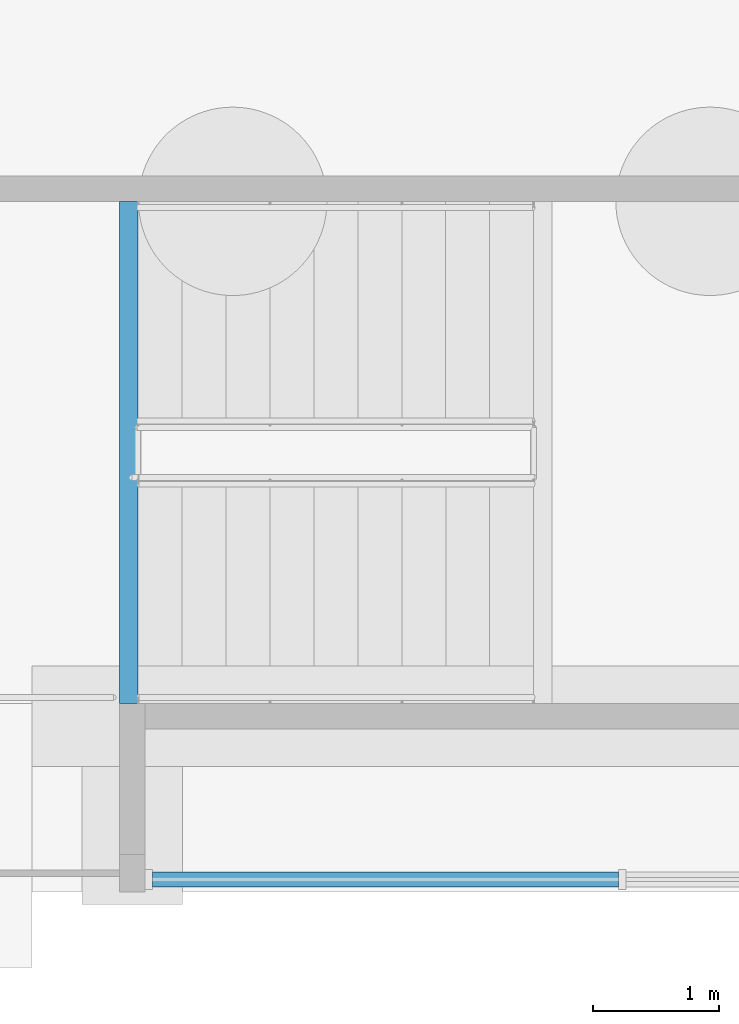
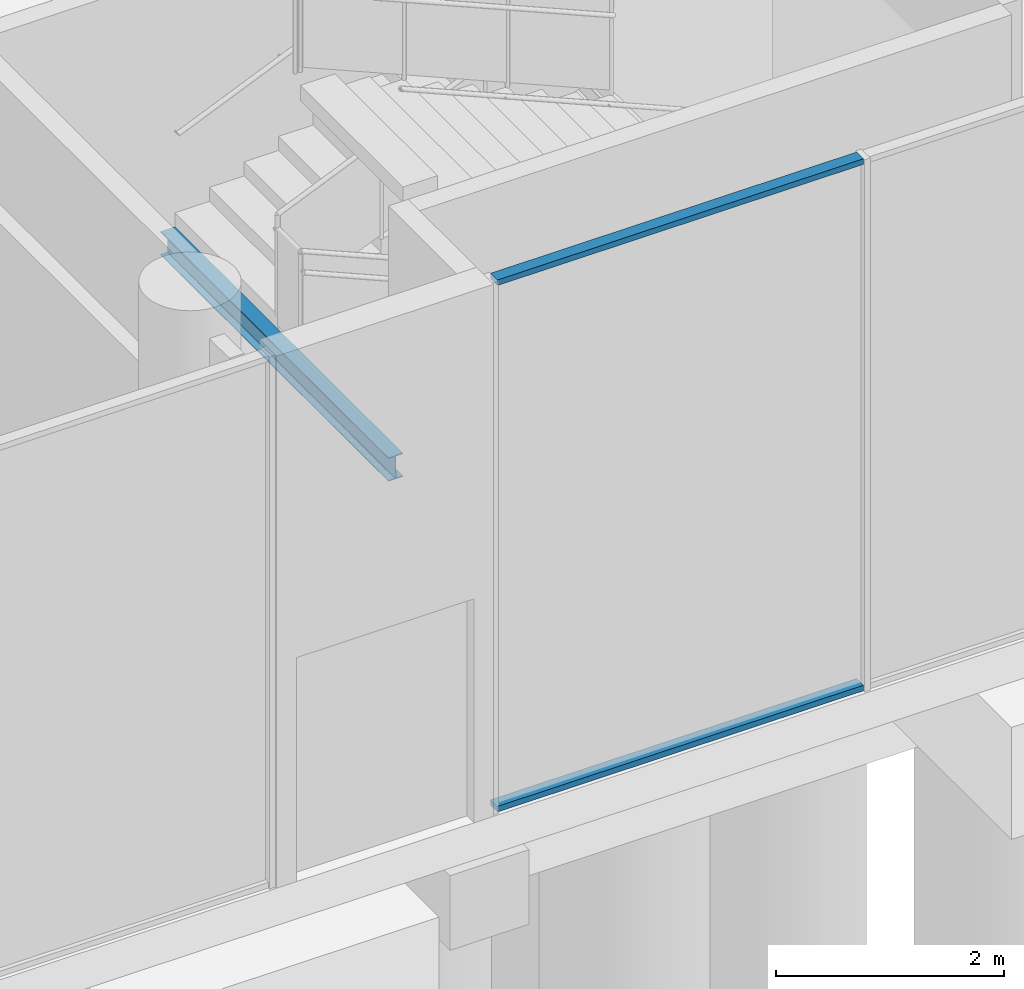
# One storey, part 4 of 31: 2 members, 1 beam, 1 element without a shape of its own.
"""IFC4 building model written with IfcOpenShell, lengths in metres."""

from ifc_helpers import new_model, si_unit, direction, frame, origin, origin_2d, place, context, subcontext, project, spatial, rectangle, i_section, extrude, material, layer, layer_set, material_profile, profile_set, type_object, element, aggregate, save


model = new_model("IFC4")

# Units and contexts
model_context = context("Model", 3, precision=1e-05, world=origin(), true_north=direction((0.0, 1.0)))
body_context = subcontext(model_context, "Body", "Model", "MODEL_VIEW")
ifc_project = project(units=[si_unit("LENGTHUNIT", "METRE"), si_unit("AREAUNIT", "SQUARE_METRE"), si_unit("VOLUMEUNIT", "CUBIC_METRE"), si_unit("PLANEANGLEUNIT", "RADIAN"), si_unit("MASSUNIT", "GRAM", prefix="KILO")], contexts=[model_context])

# Site, building, storey
site_placement = place(None, origin())
site = spatial("IfcSite", under=ifc_project, at=site_placement, CompositionType="ELEMENT")
building_placement = place(site_placement, origin())
building = spatial("IfcBuilding", under=site, at=building_placement, Name="Namib Vertical Campus", CompositionType="ELEMENT")
storey_placement = place(building_placement, origin())
storey = spatial("IfcBuildingStorey", under=building, at=storey_placement, Name="L00", CompositionType="ELEMENT", Elevation=0.0)

# Curtain wall, members
ifc_material_1 = material(Name="Black aluminium curtain wall", Category="aluminium")
ifc_layer = layer(ifc_material_1, 0.199951171875)
ifc_layer_set = layer_set([ifc_layer], Name="Entrance curtain wall CW-EN")
curtain_wall_type = type_object("IfcCurtainWallType", Name="Entrance curtain wall CW-EN", PredefinedType="USERDEFINED", material=ifc_layer_set)
curtain_wall_placement = place(storey_placement, origin())
curtain_wall = element("IfcCurtainWall", 1, at=curtain_wall_placement, inside=storey, type_object=curtain_wall_type, Name="Curtain wall CW-EN L00 5-1", ObjectType="CURTAIN WALL", PredefinedType="USERDEFINED")
ifc_material_2 = material(Name="Black anodised aluminium", Category="aluminium")
ifc_material_profile_1 = material_profile(ifc_material_2, rectangle(XDim=0.06005859375, YDim=0.1201171875, at=origin_2d()))
ifc_profile_set_1 = profile_set([ifc_material_profile_1], Name="Black anodised aluminium")
member_type = type_object("IfcMemberType", Name="Curtain wall transom 60x120", PredefinedType="USERDEFINED", material=ifc_profile_set_1)
member_1_placement = place(storey_placement, frame((29.56005859375, -4.39990234375, 0.030029296875), z_axis=(1.0, 0.0, 0.0), x_axis=(0.0, 0.0, 1.0)))
member_1 = element("IfcMember", 2, at=member_1_placement, type_object=member_type, Name="CW-EN transom 1.1", ObjectType="TRANSOM", PredefinedType="USERDEFINED", context=body_context, shape_type="SweptSolid", body=[
    extrude(rectangle(XDim=0.06005859375, YDim=0.1201171875, at=origin_2d()), origin(), (0.0, 0.0, 1.0), 3.7099609375),
])
member_2_placement = place(storey_placement, frame((29.56005859375, -4.39990234375, 5.669921875), z_axis=(1.0, 0.0, 0.0), x_axis=(0.0, 0.0, 1.0)))
member_2 = element("IfcMember", 3, at=member_2_placement, type_object=member_type, Name="CW-EN transom 1.2", ObjectType="TRANSOM", PredefinedType="USERDEFINED", context=body_context, shape_type="SweptSolid", body=[
    extrude(rectangle(XDim=0.06005859375, YDim=0.1201171875, at=origin_2d()), origin(), (0.0, 0.0, 1.0), 3.7099609375),
])
aggregate(curtain_wall, [member_1, member_2])

# Beam
ifc_material_3 = material(Name="Steel S355JR", Category="steel")
ifc_material_profile_2 = material_profile(ifc_material_3, i_section(OverallWidth=0.14599609375, OverallDepth=0.25146484375, WebThickness=0.006103515625, FlangeThickness=0.008544921875, FilletRadius=0.007568359375, at=origin_2d()))
ifc_profile_set_2 = profile_set([ifc_material_profile_2], Name="Steel S355JR")
beam_type = type_object("IfcBeamType", Name="Landing trimmer UB 254x146x31", PredefinedType="BEAM", material=ifc_profile_set_2)
beam_placement = place(storey_placement, frame((29.373046875, -3.0, 2.874267578125), z_axis=(0.0, 1.0, 0.0), x_axis=(-1.0, 0.0, 0.0)))
element("IfcBeam", 4, at=beam_placement, inside=storey, type_object=beam_type, Name="Landing trimmer LT1 P-S2 L00 2", PredefinedType="BEAM", context=body_context, shape_type="SweptSolid", body=[
    extrude(i_section(OverallWidth=0.14599609375, OverallDepth=0.25146484375, WebThickness=0.006103515625, FlangeThickness=0.008544921875, FilletRadius=0.007568359375, at=origin_2d()), origin(), (0.0, 0.0, 1.0), 4.0),
])

save(model, "model.ifc")
